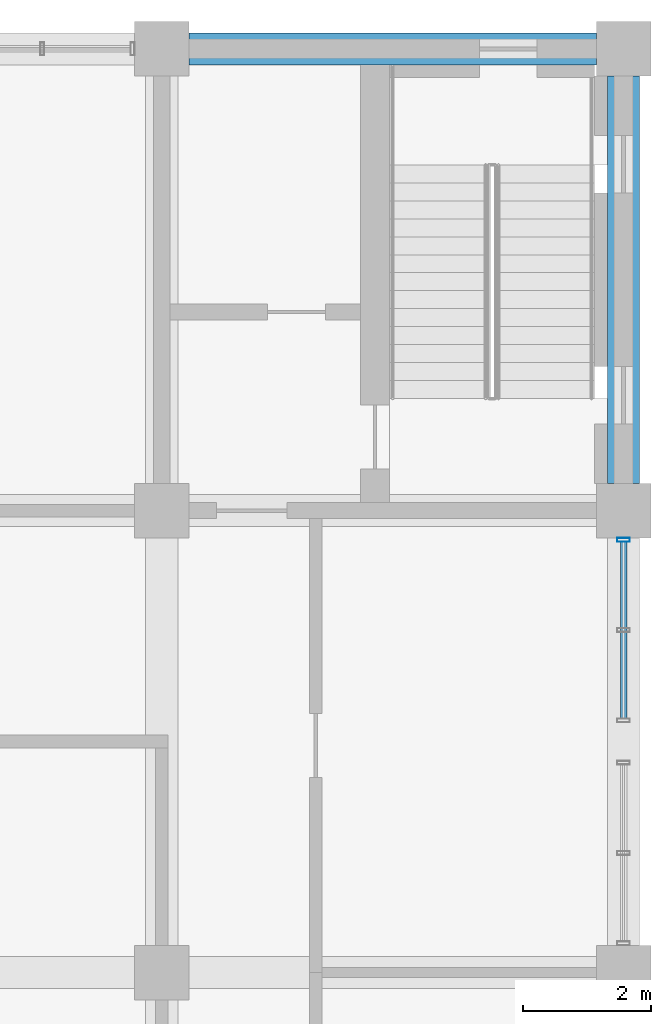
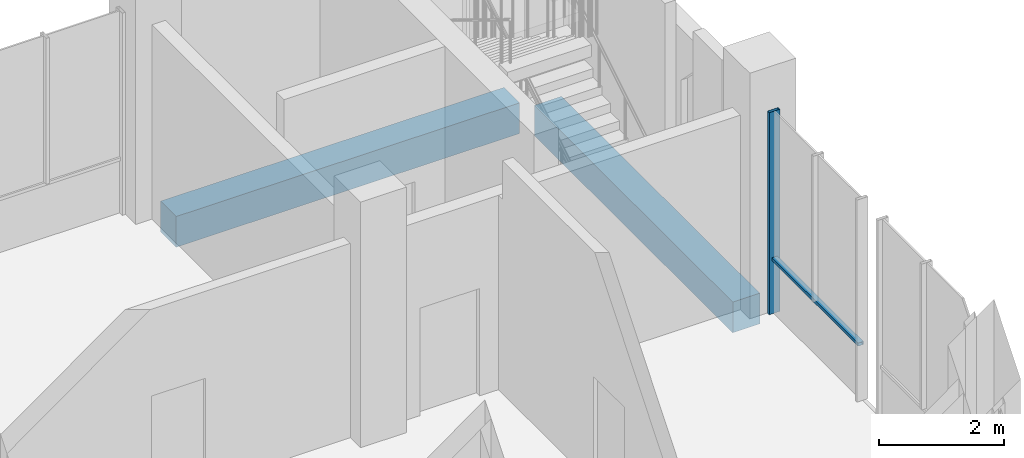
# One storey, part 23 of 40: 2 beams, 2 members, 1 element without a shape of its own.
"""IFC4 building model written with IfcOpenShell, lengths in metres."""

import ifcopenshell
import ifcopenshell.guid

model = None  # the IFC model being written
_history = None  # IfcOwnerHistory: only IFC2X3 demands one
_inside = {}  # id of a spatial element -> (the spatial element, [elements in it])
_under = {}  # id of a project, library or spatial element -> (it, [spatial elements below it])
_declared = {}  # id of a project -> (the project, [libraries it declares])
_typed = {}  # id of a type object -> (the type object, [elements of that type])
_made_of = {}  # id of a material, layer set ... -> (it, [elements and type objects made of it])


def new_model(schema):
    """Start an empty IFC model of exactly this schema.

    Asked for "IFC4X3", IfcOpenShell would pick the latest addendum, in which some entities
    have other attributes; the version numbers below select the first issue.
    IFC2X3 requires an IfcOwnerHistory on every rooted entity: one is made here for all.
    """
    global model, _history
    if schema == "IFC4X3":
        model = ifcopenshell.file(schema_version=(4, 3, 0, 0))
    else:
        model = ifcopenshell.file(schema=schema)
    _inside.clear()
    _under.clear()
    _declared.clear()
    _typed.clear()
    _made_of.clear()
    _history = None
    if model.schema == "IFC2X3":
        org = make("IfcOrganization", Name="unknown")
        user = make(
            "IfcPersonAndOrganization",
            ThePerson=make("IfcPerson", FamilyName="unknown"),
            TheOrganization=org,
        )
        app = make(
            "IfcApplication",
            ApplicationDeveloper=org,
            Version="unknown",
            ApplicationFullName="unknown",
            ApplicationIdentifier="unknown",
        )
        _history = make(
            "IfcOwnerHistory",
            OwningUser=user,
            OwningApplication=app,
            ChangeAction="ADDED",
            CreationDate=0,
        )
    return model


def make(cls, **values):
    """One entity of the class cls with the attributes given. An attribute that is None is left unset."""
    return model.create_entity(
        cls, **{name: value for name, value in values.items() if value is not None}
    )


def rooted(cls, **values):
    """An entity with a GlobalId (a new one), such as an element, a storey or a relation."""
    return make(cls, GlobalId=ifcopenshell.guid.new(), OwnerHistory=_history, **values)


def si_unit(unit_type, name, prefix=None):
    """IfcSIUnit, for example si_unit("LENGTHUNIT", "METRE", prefix="MILLI")."""
    return make("IfcSIUnit", UnitType=unit_type, Prefix=prefix, Name=name)


def assignment(units):
    """IfcUnitAssignment: the units of a project."""
    return None if units is None else make("IfcUnitAssignment", Units=units)


def point(xyz):
    """IfcCartesianPoint."""
    return None if xyz is None else make("IfcCartesianPoint", Coordinates=xyz)


def direction(xyz):
    """IfcDirection."""
    return None if xyz is None else make("IfcDirection", DirectionRatios=xyz)


def frame(location, z_axis=None, x_axis=None):
    """IfcAxis2Placement3D, a coordinate frame: its origin and axes. An axis left out is left unset."""
    return make(
        "IfcAxis2Placement3D",
        Location=point(location),
        Axis=direction(z_axis),
        RefDirection=direction(x_axis),
    )


def frame_2d(location, x_axis=None):
    """IfcAxis2Placement2D, a coordinate frame in the plane: its origin and x axis."""
    return make(
        "IfcAxis2Placement2D", Location=point(location), RefDirection=direction(x_axis)
    )


def origin():
    """The frame at (0, 0, 0) with its axes left unset."""
    return frame((0.0, 0.0, 0.0))


def origin_2d():
    """The frame at (0, 0) in the plane with its x axis left unset."""
    return frame_2d((0.0, 0.0))


def place(relative_to, where):
    """IfcLocalPlacement: puts the frame where relative to a parent placement (None: the world)."""
    return make(
        "IfcLocalPlacement", PlacementRelTo=relative_to, RelativePlacement=where
    )


def context(
    kind, dimensions, precision=None, world=None, true_north=None, identifier=None
):
    """IfcGeometricRepresentationContext, for example the 3D "Model" context."""
    return make(
        "IfcGeometricRepresentationContext",
        ContextIdentifier=identifier,
        ContextType=kind,
        CoordinateSpaceDimension=dimensions,
        Precision=precision,
        WorldCoordinateSystem=world,
        TrueNorth=true_north,
    )


def subcontext(parent, identifier, kind, view, scale=None):
    """IfcGeometricRepresentationSubContext, for example "Body" below "Model"."""
    return make(
        "IfcGeometricRepresentationSubContext",
        ContextIdentifier=identifier,
        ContextType=kind,
        ParentContext=parent,
        TargetScale=scale,
        TargetView=view,
    )


def project(units=None, contexts=None):
    """IfcProject with its units and contexts."""
    return rooted(
        "IfcProject",
        Name="project",
        RepresentationContexts=contexts,
        UnitsInContext=assignment(units),
    )


def spatial(cls, under=None, at=None, **own):
    """A site, building, storey or space (cls), placed at a placement, below another one or the project."""
    s = rooted(cls, ObjectPlacement=at, **own)
    if under is not None:
        _under.setdefault(under.id(), (under, []))[1].append(s)
    return s


def profile(cls, at=None, kind="AREA", **sizes):
    """A parametric profile (cls). Its sizes go by their IFC names, for example OverallWidth=200.0."""
    return make(cls, ProfileType=kind, Position=at, **sizes)


def rectangle(**sizes):
    """IfcRectangleProfileDef."""
    return profile("IfcRectangleProfileDef", **sizes)


def hollow_rectangle(**sizes):
    """IfcRectangleHollowProfileDef."""
    return profile("IfcRectangleHollowProfileDef", **sizes)


def extrude(swept, where, along, depth):
    """IfcExtrudedAreaSolid: the profile swept, set in the frame where, extruded along a direction by depth."""
    return make(
        "IfcExtrudedAreaSolid",
        SweptArea=swept,
        Position=where,
        ExtrudedDirection=direction(along),
        Depth=depth,
    )


def shape(context_of_items, identifier, shape_type, items):
    """IfcShapeRepresentation: the items that make up one representation, for example the "Body"."""
    return make(
        "IfcShapeRepresentation",
        ContextOfItems=context_of_items,
        RepresentationIdentifier=identifier,
        RepresentationType=shape_type,
        Items=items,
    )


def material(Name=None, Category=None):
    """IfcMaterial."""
    return make("IfcMaterial", Name=Name, Category=Category)


def material_profile(
    of_material, cross_section, Name=None, Category=None, Priority=None
):
    """IfcMaterialProfile: a cross section and its material."""
    return make(
        "IfcMaterialProfile",
        Name=Name,
        Material=of_material,
        Profile=cross_section,
        Priority=Priority,
        Category=Category,
    )


def profile_set(profiles, Name=None, composite=None):
    """IfcMaterialProfileSet."""
    return make(
        "IfcMaterialProfileSet",
        Name=Name,
        MaterialProfiles=profiles,
        CompositeProfile=composite,
    )


def made_of(thing, what):
    """Note that an element or type object is made of a material, layer set ...; save() writes the relation."""
    if what is not None:
        _made_of.setdefault(what.id(), (what, []))[1].append(thing)
    return thing


def type_object(cls, material=None, **own):
    """A type object (cls), such as IfcWallType, which elements share."""
    return made_of(rooted(cls, **own), material)


def element(
    cls,
    number,
    at=None,
    inside=None,
    cuts=None,
    type_object=None,
    material=None,
    context=None,
    identifier="Body",
    shape_type=None,
    held_by="IfcProductDefinitionShape",
    body=None,
    shapes=None,
    **own,
):
    """One element of the class cls, such as IfcWall. Its Tag is "e" and its number.

    at: its placement. inside: the storey or other place that contains it. cuts: it is an
    opening in that element (IfcRelVoidsElement). A single representation is given by context,
    identifier, shape_type and body (its items); several are given by shapes. held_by: the class
    of the entity that holds the representations. save() writes the other relations.
    """
    e = rooted(cls, Tag="e%d" % number, ObjectPlacement=at, **own)
    if body is not None:
        shapes = [shape(context, identifier, shape_type, body)]
    if shapes is not None:
        e.Representation = make(held_by, Representations=shapes)
    if inside is not None:
        _inside.setdefault(inside.id(), (inside, []))[1].append(e)
    if cuts is not None:
        rooted(
            "IfcRelVoidsElement", RelatingBuildingElement=cuts, RelatedOpeningElement=e
        )
    if type_object is not None:
        _typed.setdefault(type_object.id(), (type_object, []))[1].append(e)
    return made_of(e, material)


def aggregate(whole, parts):
    """IfcRelAggregates: a whole, such as a stair, and the parts it consists of."""
    return rooted("IfcRelAggregates", RelatingObject=whole, RelatedObjects=parts)


def save(model, path):
    """Write the relations noted so far, then the file.

    IfcRelAggregates (storeys below a building ...), IfcRelContainedInSpatialStructure (elements
    in a storey), IfcRelDefinesByType, IfcRelAssociatesMaterial and IfcRelDeclares: one each for
    every whole, place, type object, material and project.
    """
    for whole, parts in _under.values():
        aggregate(whole, parts)
    for where, things in _inside.values():
        rooted(
            "IfcRelContainedInSpatialStructure",
            RelatedElements=things,
            RelatingStructure=where,
        )
    for kind, things in _typed.values():
        rooted("IfcRelDefinesByType", RelatedObjects=things, RelatingType=kind)
    for what, things in _made_of.values():
        rooted("IfcRelAssociatesMaterial", RelatedObjects=things, RelatingMaterial=what)
    for by, libraries in _declared.values():
        rooted("IfcRelDeclares", RelatingContext=by, RelatedDefinitions=libraries)
    model.write(path)


model = new_model("IFC4")

# Units and contexts
model_context = context("Model", 3, precision=1e-05, world=origin(), true_north=direction((0.0, 1.0)))
body_context = subcontext(model_context, "Body", "Model", "MODEL_VIEW")
ifc_project = project(units=[si_unit("LENGTHUNIT", "METRE"), si_unit("AREAUNIT", "SQUARE_METRE"), si_unit("VOLUMEUNIT", "CUBIC_METRE"), si_unit("PLANEANGLEUNIT", "RADIAN"), si_unit("MASSUNIT", "GRAM", prefix="KILO")], contexts=[model_context])

# Site, building, storey
site_placement = place(None, origin())
site = spatial("IfcSite", under=ifc_project, at=site_placement, CompositionType="ELEMENT")
building_placement = place(site_placement, origin())
building = spatial("IfcBuilding", under=site, at=building_placement, Name="Silangan Lancet Faculty of Sciences", CompositionType="ELEMENT")
storey_placement = place(building_placement, frame((0.0, 0.0, 16.800048828125)))
storey = spatial("IfcBuildingStorey", under=building, at=storey_placement, Name="L03", CompositionType="ELEMENT", Elevation=16.800048828125)

# Beams
ifc_material_1 = material(Name="Concrete C40/50", Category="concrete")
ifc_material_profile_1 = material_profile(ifc_material_1, rectangle(XDim=0.5, YDim=0.60009765625, at=origin_2d()), Name="RC 500x600")
ifc_profile_set_1 = profile_set([ifc_material_profile_1], Name="Concrete C40/50")
beam_type = type_object("IfcBeamType", Name="BEAM RC 500x600", PredefinedType="BEAM", material=ifc_profile_set_1)
for number, where, z_axis, x_axis, name in (
    (1, (79.625, 57.60009765625, -0.550048828125), (1.0, 0.0, 0.0), (0.0, 1.0, 0.0), "BM-L03-12I-13I"),
    (2, (86.39990234375, 50.824951171875, -0.550048828125), (0.0, 1.0, 0.0), (-1.0, 0.0, 0.0), "BM-L03-13H-13I"),
):
    element("IfcBeam", number, at=place(storey_placement, frame(where, z_axis=z_axis, x_axis=x_axis)), inside=storey, type_object=beam_type, Name=name, PredefinedType="BEAM", context=body_context, shape_type="SweptSolid", body=[
        extrude(rectangle(XDim=0.5, YDim=0.60009765625, at=origin_2d()), origin(), (0.0, 0.0, 1.0), 6.35009765625),
    ])

# Curtain wall, members
ifc_material_2 = material(Name="Aluminium framed curtain wall with insulated glass", Category="aluminium")
curtain_wall_type = type_object("IfcCurtainWallType", Name="CW1 Commons and east block glazing", PredefinedType="NOTDEFINED", material=ifc_material_2)
curtain_wall_placement = place(storey_placement, origin())
curtain_wall = element("IfcCurtainWall", 3, at=curtain_wall_placement, inside=storey, type_object=curtain_wall_type, Name="CW1 East commons L03 bay 12", PredefinedType="NOTDEFINED")
ifc_material_3 = material(Name="Aluminium 6063-T6 extrusion", Category="aluminium")
ifc_material_profile_2 = material_profile(ifc_material_3, hollow_rectangle(XDim=0.06005859375, YDim=0.199951171875, WallThickness=0.00390625, at=origin_2d()), Name="AL BOX 60x200x4")
ifc_profile_set_2 = profile_set([ifc_material_profile_2], Name="Aluminium 6063-T6 extrusion")
member_type_1 = type_object("IfcMemberType", Name="CM1 Mullion 60x200", PredefinedType="MULLION", material=ifc_profile_set_2)
member_1_placement = place(storey_placement, frame((86.39990234375, 49.945068359375, 0.0), z_axis=(0.0, 0.0, 1.0), x_axis=(0.0, 1.0, 0.0)))
member_1 = element("IfcMember", 4, at=member_1_placement, type_object=member_type_1, Name="CW1 East commons L03 bay 12 mullion 2", PredefinedType="MULLION", context=body_context, shape_type="SweptSolid", body=[
    extrude(hollow_rectangle(XDim=0.06005859375, YDim=0.199951171875, WallThickness=0.00390625, at=origin_2d()), origin(), (0.0, 0.0, 1.0), 3.949951171875),
])
ifc_material_4 = material(Name="Aluminium 6063-T6 extrusion", Category="aluminium")
ifc_material_profile_3 = material_profile(ifc_material_4, hollow_rectangle(XDim=0.10009765625, YDim=0.06005859375, WallThickness=0.0029296875, at=origin_2d()), Name="AL BOX 100x60x3")
ifc_profile_set_3 = profile_set([ifc_material_profile_3], Name="Aluminium 6063-T6 extrusion")
member_type_2 = type_object("IfcMemberType", Name="CT1 Transom 100x60", PredefinedType="USERDEFINED", material=ifc_profile_set_3)
member_2_placement = place(storey_placement, frame((86.39990234375, 47.159912109375, 1.070068359375), z_axis=(0.0, 1.0, 0.0), x_axis=(-1.0, 0.0, 0.0)))
member_2 = element("IfcMember", 5, at=member_2_placement, type_object=member_type_2, Name="CW1 East commons L03 bay 12 transom 1", ObjectType="TRANSOM", PredefinedType="USERDEFINED", context=body_context, shape_type="SweptSolid", body=[
    extrude(hollow_rectangle(XDim=0.10009765625, YDim=0.06005859375, WallThickness=0.0029296875, at=origin_2d()), origin(), (0.0, 0.0, 1.0), 2.755126953125),
])
aggregate(curtain_wall, [member_1, member_2])

save(model, "model.ifc")
